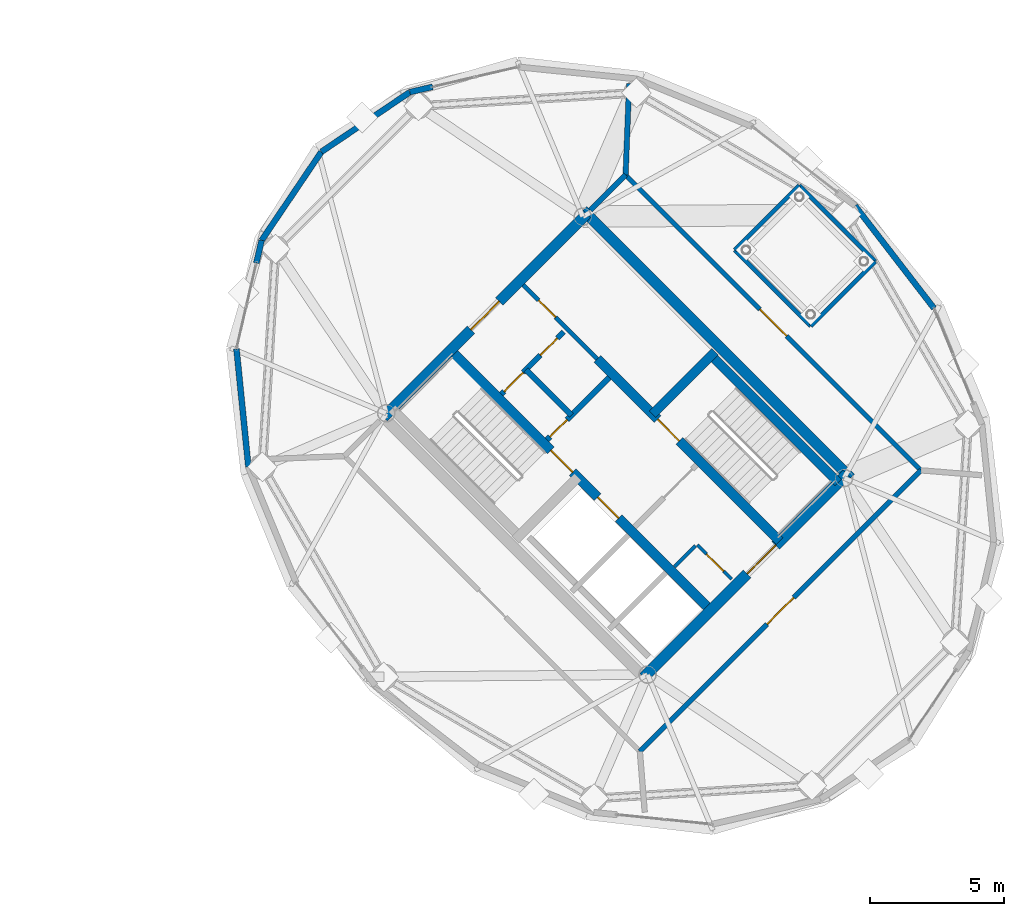
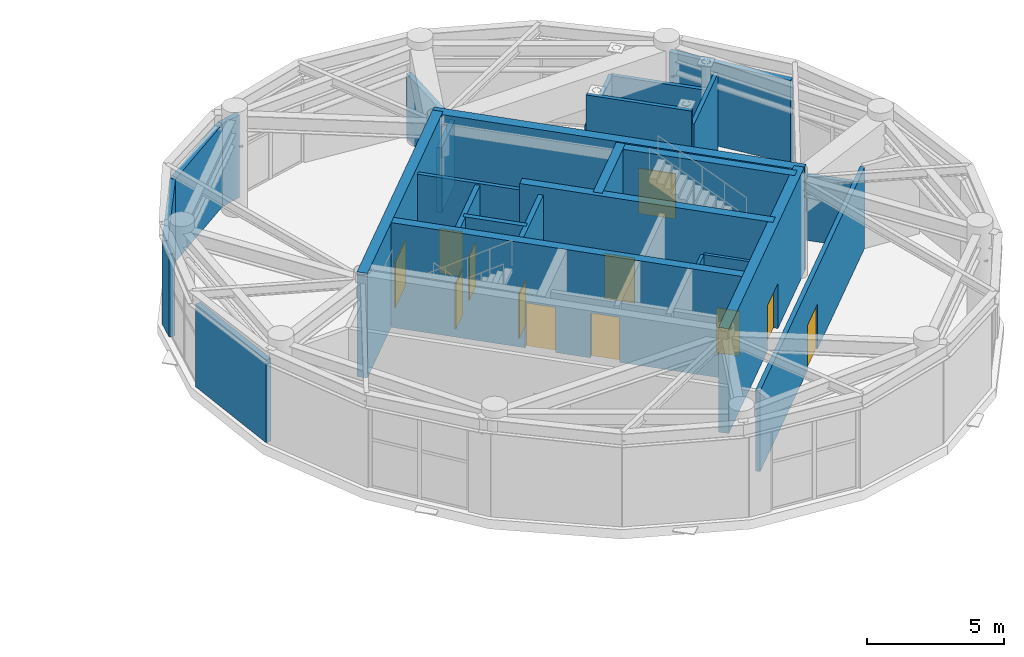
# One storey, part 25 of 28: 27 walls, 12 doors, 12 openings.
"""IFC4 building model written with IfcOpenShell, lengths in metres."""

from ifc_helpers import new_model, si_unit, direction, frame, frame_2d, origin, place, context, subcontext, project, spatial, rectangle, extrude, source, transform, mapped, material, layer, layer_set, type_object, element, fill, save


model = new_model("IFC4")

# Units and contexts
model_context = context("Model", 3, precision=1e-05, world=origin(), true_north=direction((0.0, 1.0)))
body_context = subcontext(model_context, "Body", "Model", "MODEL_VIEW")
ifc_project = project(units=[si_unit("LENGTHUNIT", "METRE"), si_unit("AREAUNIT", "SQUARE_METRE"), si_unit("VOLUMEUNIT", "CUBIC_METRE"), si_unit("PLANEANGLEUNIT", "RADIAN"), si_unit("MASSUNIT", "GRAM", prefix="KILO")], contexts=[model_context])

# Site, building, storey
site_placement = place(None, origin())
site = spatial("IfcSite", under=ifc_project, at=site_placement, CompositionType="ELEMENT")
building_placement = place(site_placement, origin())
building = spatial("IfcBuilding", under=site, at=building_placement, Name="Cununo Teusaquillo Station Towers", CompositionType="ELEMENT")
storey_placement = place(building_placement, frame((0.0, 0.0, 235.64990234375)))
storey = spatial("IfcBuildingStorey", under=building, at=storey_placement, Name="L75", CompositionType="ELEMENT", Elevation=235.64990234375)

# Wall, openings, doors
ifc_material_1 = material(Name="Concrete C50/60", Category="concrete")
ifc_layer_1 = layer(ifc_material_1, 0.35009765625)
ifc_layer_set_1 = layer_set([ifc_layer_1], Name="Concrete C50/60")
wall_type_1 = type_object("IfcWallType", Name="WL-CORE-350", PredefinedType="SHEAR", material=ifc_layer_set_1)
wall_1_placement = place(storey_placement, frame((61.060302734375, 18.372802734375, 0.0), z_axis=(0.0, 0.0, 1.0), x_axis=(-0.707106781187, 0.707106781187, 0.0)))
wall_1 = element("IfcWall", 1, at=wall_1_placement, inside=storey, type_object=wall_type_1, Name="L75 Tower B Core Shear Wall IW", PredefinedType="SHEAR", context=body_context, shape_type="SweptSolid", body=[
    extrude(rectangle(XDim=13.7001953125, YDim=0.35009765625, at=frame_2d((6.85009765625, 0.0))), origin(), (0.0, 0.0, 1.0), 4.68017578125),
])
shared_shape_1 = source(origin(), body_context, "Body", "SweptSolid", [
    extrude(rectangle(XDim=1.10009765625, YDim=2.014892578125, at=frame_2d((0.550048828125, 1.00732421875))), frame((0.0, 0.18505859375, 0.0), z_axis=(0.0, -1.0, 0.0), x_axis=(1.0, 0.0, 0.0)), (0.0, 0.0, 1.0), 0.3701171875),
])
opening_1_placement = place(wall_1_placement, frame((4.85009765625, 0.0, 0.0)))
opening_1 = element("IfcOpeningElement", 2, at=opening_1_placement, cuts=wall_1, Name="Opening LD-01", PredefinedType="OPENING", context=body_context, shape_type="MappedRepresentation", body=[
    mapped(shared_shape_1, transform((0.0, 0.0, 0.0), x_axis=(1.0, 0.0, 0.0), y_axis=(0.0, 1.0, 0.0), z_axis=(0.0, 0.0, 1.0), scale=1.0)),
])
shared_shape_2 = source(origin(), body_context, "Body", "SweptSolid", [
    extrude(rectangle(XDim=1.14990234375, YDim=2.02001953125, at=frame_2d((0.574951171875, 1.010009765625))), frame((0.0, 0.18505859375, 0.0), z_axis=(0.0, -1.0, 0.0), x_axis=(1.0, 0.0, 0.0)), (0.0, 0.0, 1.0), 0.3701171875),
])
opening_2_placement = place(wall_1_placement, frame((7.27001953125, 0.0, 0.0)))
opening_2 = element("IfcOpeningElement", 3, at=opening_2_placement, cuts=wall_1, Name="Opening D-ST1", PredefinedType="OPENING", context=body_context, shape_type="MappedRepresentation", body=[
    mapped(shared_shape_2, transform((0.0, 0.0, 0.0), x_axis=(1.0, 0.0, 0.0), y_axis=(0.0, 1.0, 0.0), z_axis=(0.0, 0.0, 1.0), scale=1.0)),
])
ifc_material_2 = material(Name="Galvanised fire-rated hollow steel door assembly", Category="steel")
door_type_1 = type_object("IfcDoorType", Name="DR-LIFT-1100", OperationType="SLIDING_TO_LEFT", PredefinedType="DOOR", material=ifc_material_2)
shared_shape_3 = source(origin(), body_context, "Body", "SweptSolid", [
    extrude(rectangle(XDim=1.10009765625, YDim=2.014892578125, at=frame_2d((0.550048828125, 1.00732421875))), frame((0.0, 0.02490234375, 0.0), z_axis=(0.0, -1.0, 0.0), x_axis=(1.0, 0.0, 0.0)), (0.0, 0.0, 1.0), 0.050048828125),
])
door_1_placement = place(opening_1_placement, origin())
door_1 = element("IfcDoor", 4, at=door_1_placement, inside=storey, type_object=door_type_1, Name="L75 Lift FL-T2 Sliding Landing Door", OperationType="SLIDING_TO_LEFT", OverallHeight=2.014892578125, OverallWidth=1.10009765625, PredefinedType="DOOR", context=body_context, shape_type="MappedRepresentation", body=[
    mapped(shared_shape_3, transform((0.0, 0.0, 0.0), x_axis=(1.0, 0.0, 0.0), y_axis=(0.0, 1.0, 0.0), z_axis=(0.0, 0.0, 1.0), scale=1.0)),
])
fill(opening_1, door_1)
ifc_material_3 = material(Name="Galvanised fire-rated hollow steel door assembly", Category="steel")
door_type_2 = type_object("IfcDoorType", Name="DR-STAIR-1150", OperationType="NOTDEFINED", PredefinedType="DOOR", material=ifc_material_3)
shared_shape_4 = source(origin(), body_context, "Body", "SweptSolid", [
    extrude(rectangle(XDim=1.14990234375, YDim=2.02001953125, at=frame_2d((0.574951171875, 1.010009765625))), frame((0.0, 0.02490234375, 0.0), z_axis=(0.0, -1.0, 0.0), x_axis=(1.0, 0.0, 0.0)), (0.0, 0.0, 1.0), 0.050048828125),
])
door_2_placement = place(opening_2_placement, origin())
door_2 = element("IfcDoor", 5, at=door_2_placement, inside=storey, type_object=door_type_2, Name="L75 Tower B Exit Stair 1 Fire Door", OperationType="SINGLE_SWING_RIGHT", OverallHeight=2.02001953125, OverallWidth=1.14990234375, PredefinedType="DOOR", context=body_context, shape_type="MappedRepresentation", body=[
    mapped(shared_shape_4, transform((0.0, 0.0, 0.0), x_axis=(1.0, 0.0, 0.0), y_axis=(0.0, 1.0, 0.0), z_axis=(0.0, 0.0, 1.0), scale=1.0)),
])
fill(opening_2, door_2)

# Wall, opening, door
wall_2_placement = place(storey_placement, frame((63.627197265625, 20.939697265625, 0.0), z_axis=(0.0, 0.0, 1.0), x_axis=(-0.707119496762, 0.707094065383, 0.0)))
wall_2 = element("IfcWall", 6, at=wall_2_placement, inside=storey, type_object=wall_type_1, Name="L75 Tower B Core Shear Wall IE", PredefinedType="SHEAR", context=body_context, shape_type="SweptSolid", body=[
    extrude(rectangle(XDim=9.60009765625, YDim=0.35009765625, at=frame_2d((4.800048828125, 0.0))), origin(), (0.0, 0.0, 1.0), 4.68017578125),
])
opening_3_placement = place(wall_2_placement, frame((5.280029296875, 0.0, 0.0)))
opening_3 = element("IfcOpeningElement", 7, at=opening_3_placement, cuts=wall_2, Name="Opening D-ST1", PredefinedType="OPENING", context=body_context, shape_type="MappedRepresentation", body=[
    mapped(shared_shape_2, transform((0.0, 0.0, 0.0), x_axis=(1.0, 0.0, 0.0), y_axis=(0.0, 1.0, 0.0), z_axis=(0.0, 0.0, 1.0), scale=1.0)),
])
door_3_placement = place(opening_3_placement, origin())
door_3 = element("IfcDoor", 8, at=door_3_placement, inside=storey, type_object=door_type_2, Name="L75 Tower B Exit Stair 2 Fire Door", OperationType="SINGLE_SWING_LEFT", OverallHeight=2.02001953125, OverallWidth=1.14990234375, PredefinedType="DOOR", context=body_context, shape_type="MappedRepresentation", body=[
    mapped(shared_shape_4, transform((0.0, 0.0, 0.0), x_axis=(1.0, 0.0, 0.0), y_axis=(0.0, 1.0, 0.0), z_axis=(0.0, 0.0, 1.0), scale=1.0)),
])
fill(opening_3, door_3)

# Walls
wall_3_placement = place(storey_placement, frame((65.81201171875, 23.124755859375, 0.0), z_axis=(0.0, 0.0, 1.0), x_axis=(-0.707106781187, 0.707106781187, 0.0)))
element("IfcWall", 9, at=wall_3_placement, inside=storey, type_object=wall_type_1, Name="L75 Tower B Core Shear Wall ST2E", PredefinedType="SHEAR", context=body_context, shape_type="SweptSolid", body=[
    extrude(rectangle(XDim=6.695068359375, YDim=0.35009765625, at=frame_2d((3.34765625, 0.0))), origin(), (0.0, 0.0, 1.0), 4.68017578125),
])
wall_4_placement = place(storey_placement, frame((58.89306640625, 25.673828125, 0.0), z_axis=(0.0, 0.0, 1.0), x_axis=(0.707106781187, 0.707106781187, 0.0)))
element("IfcWall", 10, at=wall_4_placement, inside=storey, type_object=wall_type_1, Name="L75 Tower B Core Shear Wall ST2N", PredefinedType="SHEAR", context=body_context, shape_type="SweptSolid", body=[
    extrude(rectangle(XDim=3.284912109375, YDim=0.35009765625, at=frame_2d((1.642578125, 0.0))), origin(), (0.0, 0.0, 1.0), 4.68017578125),
])
ifc_material_4 = material(Name="Concrete C50/60", Category="concrete")
ifc_layer_2 = layer(ifc_material_4, 0.39990234375)
ifc_layer_set_2 = layer_set([ifc_layer_2], Name="Concrete C50/60")
wall_type_2 = type_object("IfcWallType", Name="WL-CORE-400", PredefinedType="SHEAR", material=ifc_layer_set_2)
wall_5_placement = place(storey_placement, frame((66.26806640625, 23.2978515625, 0.0), z_axis=(0.0, 0.0, 1.0), x_axis=(-0.707106781187, 0.707106781187, 0.0)))
element("IfcWall", 11, at=wall_5_placement, inside=storey, type_object=wall_type_2, Name="L75 Tower B Core Shear Wall E", PredefinedType="SHEAR", context=body_context, shape_type="SweptSolid", body=[
    extrude(rectangle(XDim=14.10009765625, YDim=0.39990234375, at=frame_2d((7.050048828125, 0.0))), origin(), (0.0, 0.0, 1.0), 4.68017578125),
])

# Wall, opening, door
wall_6_placement = place(storey_placement, frame((58.560791015625, 15.873291015625, 0.0), z_axis=(0.0, 0.0, 1.0), x_axis=(0.707106781187, 0.707106781187, 0.0)))
wall_6 = element("IfcWall", 12, at=wall_6_placement, inside=storey, type_object=wall_type_2, Name="L75 Tower B Core Shear Wall S", PredefinedType="SHEAR", context=body_context, shape_type="SweptSolid", body=[
    extrude(rectangle(XDim=10.69970703125, YDim=0.39990234375, at=frame_2d((5.349853515625, 0.0))), origin(), (0.0, 0.0, 1.0), 4.68017578125),
])
shared_shape_5 = source(origin(), body_context, "Body", "SweptSolid", [
    extrude(rectangle(XDim=1.5, YDim=2.02001953125, at=frame_2d((0.75, 1.010009765625))), frame((0.0, 0.2099609375, 0.0), z_axis=(0.0, -1.0, 0.0), x_axis=(1.0, 0.0, 0.0)), (0.0, 0.0, 1.0), 0.419921875),
])
opening_4_placement = place(wall_6_placement, frame((5.449951171875, 0.0, 0.0)))
opening_4 = element("IfcOpeningElement", 13, at=opening_4_placement, cuts=wall_6, Name="Opening D-LB1", PredefinedType="OPENING", context=body_context, shape_type="MappedRepresentation", body=[
    mapped(shared_shape_5, transform((0.0, 0.0, 0.0), x_axis=(1.0, 0.0, 0.0), y_axis=(0.0, 1.0, 0.0), z_axis=(0.0, 0.0, 1.0), scale=1.0)),
])
ifc_material_5 = material(Name="Galvanised fire-rated hollow steel door assembly", Category="steel")
door_type_3 = type_object("IfcDoorType", Name="DR-LOBBY-1500", OperationType="DOUBLE_DOOR_SINGLE_SWING", PredefinedType="DOOR", material=ifc_material_5)
shared_shape_6 = source(origin(), body_context, "Body", "SweptSolid", [
    extrude(rectangle(XDim=1.5, YDim=2.02001953125, at=frame_2d((0.75, 1.010009765625))), frame((0.0, 0.02490234375, 0.0), z_axis=(0.0, -1.0, 0.0), x_axis=(1.0, 0.0, 0.0)), (0.0, 0.0, 1.0), 0.050048828125),
])
door_4_placement = place(opening_4_placement, origin())
door_4 = element("IfcDoor", 14, at=door_4_placement, inside=storey, type_object=door_type_3, Name="L75 Tower B South Core Lift Lobby Door", OperationType="DOUBLE_DOOR_SINGLE_SWING", OverallHeight=2.02001953125, OverallWidth=1.5, PredefinedType="DOOR", context=body_context, shape_type="MappedRepresentation", body=[
    mapped(shared_shape_6, transform((0.0, 0.0, 0.0), x_axis=(1.0, 0.0, 0.0), y_axis=(0.0, 1.0, 0.0), z_axis=(0.0, 0.0, 1.0), scale=1.0)),
])
fill(opening_4, door_4)

wall_7_placement = place(storey_placement, frame((48.873291015625, 25.560791015625, 0.0), z_axis=(0.0, 0.0, 1.0), x_axis=(0.707106781187, 0.707106781187, 0.0)))
wall_7 = element("IfcWall", 15, at=wall_7_placement, inside=storey, type_object=wall_type_2, Name="L75 Tower B Core Shear Wall N", PredefinedType="SHEAR", context=body_context, shape_type="SweptSolid", body=[
    extrude(rectangle(XDim=10.69970703125, YDim=0.39990234375, at=frame_2d((5.349853515625, 0.0))), origin(), (0.0, 0.0, 1.0), 4.68017578125),
])
opening_5_placement = place(wall_7_placement, frame((4.60009765625, 0.0, 0.0)))
opening_5 = element("IfcOpeningElement", 16, at=opening_5_placement, cuts=wall_7, Name="Opening D-LB1", PredefinedType="OPENING", context=body_context, shape_type="MappedRepresentation", body=[
    mapped(shared_shape_5, transform((0.0, 0.0, 0.0), x_axis=(1.0, 0.0, 0.0), y_axis=(0.0, 1.0, 0.0), z_axis=(0.0, 0.0, 1.0), scale=1.0)),
])
door_5_placement = place(opening_5_placement, origin())
door_5 = element("IfcDoor", 17, at=door_5_placement, inside=storey, type_object=door_type_3, Name="L75 Tower B North Core Lift Lobby Door", OperationType="DOUBLE_DOOR_SINGLE_SWING", OverallHeight=2.02001953125, OverallWidth=1.5, PredefinedType="DOOR", context=body_context, shape_type="MappedRepresentation", body=[
    mapped(shared_shape_6, transform((0.0, 0.0, 0.0), x_axis=(1.0, 0.0, 0.0), y_axis=(0.0, 1.0, 0.0), z_axis=(0.0, 0.0, 1.0), scale=1.0)),
])
fill(opening_5, door_5)

# Walls
ifc_material_6 = material(Name="Precast concrete C40/50", Category="concrete")
ifc_layer_3 = layer(ifc_material_6, 0.219970703125)
ifc_layer_set_3 = layer_set([ifc_layer_3], Name="Precast concrete C40/50")
wall_type_3 = type_object("IfcWallType", Name="WL-EXT-220", PredefinedType="SOLIDWALL", material=ifc_layer_set_3)
wall_8_placement = place(storey_placement, frame((49.856201171875, 37.663330078125, 0.0), z_axis=(0.0, 0.0, 1.0), x_axis=(0.974220668664, 0.22559718249, 0.0)))
element("IfcWall", 18, at=wall_8_placement, inside=storey, type_object=wall_type_3, Name="L75 Tower B Crown Drum Pier Cassette C03-PA", PredefinedType="SOLIDWALL", context=body_context, shape_type="SweptSolid", body=[
    extrude(rectangle(XDim=0.8701171875, YDim=0.219970703125, at=frame_2d((0.43505859375, 0.0))), origin(), (0.0, 0.0, 1.0), 3.696044921875),
])
for number, where, z_axis, x_axis, name in (
    (19, (46.56103515625, 35.43896484375, 0.0), (0.0, 0.0, 1.0), (0.828833723692, 0.559495003079, 0.0), "L75 Tower B Crown Drum Spandrel Cassette C04"),
    (20, (44.336669921875, 32.143798828125, 0.0), (0.0, 0.0, 1.0), (0.559495003079, 0.828833723692, 0.0), "L75 Tower B Crown Drum Spandrel Cassette C05"),
):
    element("IfcWall", number, at=place(storey_placement, frame(where, z_axis=z_axis, x_axis=x_axis)), inside=storey, type_object=wall_type_3, Name=name, PredefinedType="SOLIDWALL", context=body_context, shape_type="SweptSolid", body=[
        extrude(rectangle(XDim=3.9755859375, YDim=0.219970703125, at=frame_2d((1.98779296875, 0.0))), origin(), (0.0, 0.0, 1.0), 3.696044921875),
    ])
wall_9_placement = place(storey_placement, frame((44.140380859375, 31.296142578125, 0.0), z_axis=(0.0, 0.0, 1.0), x_axis=(0.22559718249, 0.974220668664, 0.0)))
element("IfcWall", 21, at=wall_9_placement, inside=storey, type_object=wall_type_3, Name="L75 Tower B Crown Drum Pier Cassette C06-PB", PredefinedType="SOLIDWALL", context=body_context, shape_type="SweptSolid", body=[
    extrude(rectangle(XDim=0.8701171875, YDim=0.219970703125, at=frame_2d((0.43505859375, 0.0))), origin(), (0.0, 0.0, 1.0), 3.696044921875),
])
wall_10_placement = place(storey_placement, frame((43.84521484375, 23.70458984375, 0.0), z_axis=(0.0, 0.0, 1.0), x_axis=(-0.100570534541, 0.994929930991, 0.0)))
element("IfcWall", 22, at=wall_10_placement, inside=storey, type_object=wall_type_3, Name="L75 Tower B Crown Drum Spandrel Cassette C07", PredefinedType="SOLIDWALL", context=body_context, shape_type="SweptSolid", body=[
    extrude(rectangle(XDim=4.418212890625, YDim=0.219970703125, at=frame_2d((2.208984375, 0.0))), origin(), (0.0, 0.0, 1.0), 3.696044921875),
])
wall_11_placement = place(storey_placement, frame((66.430908203125, 33.430908203125, 0.0), z_axis=(0.0, 0.0, 1.0), x_axis=(0.610523083886, -0.791998462147, 0.0)))
element("IfcWall", 23, at=wall_11_placement, inside=storey, type_object=wall_type_3, Name="L75 Tower B Crown Drum Spandrel Cassette C19", PredefinedType="SOLIDWALL", context=body_context, shape_type="SweptSolid", body=[
    extrude(rectangle(XDim=4.8203125, YDim=0.219970703125, at=frame_2d((2.41015625, 0.0))), origin(), (0.0, 0.0, 1.0), 3.696044921875),
])

# Wall, opening, door
ifc_material_7 = material(Name="Fire-rated gypsum plasterboard partition assembly", Category="gypsum")
ifc_layer_4 = layer(ifc_material_7, 0.125)
ifc_layer_set_4 = layer_set([ifc_layer_4], Name="Fire-rated gypsum plasterboard partition assembly")
wall_type_4 = type_object("IfcWallType", Name="WL-PART-125", PredefinedType="PARTITIONING", material=ifc_layer_set_4)
wall_12_placement = place(storey_placement, frame((61.834716796875, 19.529052734375, 0.0), z_axis=(0.0, 0.0, 1.0), x_axis=(-0.707174592913, 0.707038962956, 0.0)))
wall_12 = element("IfcWall", 24, at=wall_12_placement, inside=storey, type_object=wall_type_4, Name="L75 Tower B South-West Compact Store East Wall", PredefinedType="PARTITIONING", context=body_context, shape_type="SweptSolid", body=[
    extrude(rectangle(XDim=1.800048828125, YDim=0.125, at=frame_2d((0.89990234375, 0.0))), origin(), (0.0, 0.0, 1.0), 4.3251953125),
])
shared_shape_7 = source(origin(), body_context, "Body", "SweptSolid", [
    extrude(rectangle(XDim=0.89990234375, YDim=2.0048828125, at=frame_2d((0.449951171875, 1.00244140625))), frame((0.0, 0.072509765625, 0.0), z_axis=(0.0, -1.0, 0.0), x_axis=(1.0, 0.0, 0.0)), (0.0, 0.0, 1.0), 0.14501953125),
])
opening_6_placement = place(wall_12_placement, frame((0.419921875, 0.0, 0.0)))
opening_6 = element("IfcOpeningElement", 25, at=opening_6_placement, cuts=wall_12, Name="Opening D-SR1", PredefinedType="OPENING", context=body_context, shape_type="MappedRepresentation", body=[
    mapped(shared_shape_7, transform((0.0, 0.0, 0.0), x_axis=(1.0, 0.0, 0.0), y_axis=(0.0, 1.0, 0.0), z_axis=(0.0, 0.0, 1.0), scale=1.0)),
])
ifc_material_8 = material(Name="Galvanised fire-rated hollow steel door assembly", Category="steel")
door_type_4 = type_object("IfcDoorType", Name="DR-STORE-900", OperationType="NOTDEFINED", PredefinedType="DOOR", material=ifc_material_8)
shared_shape_8 = source(origin(), body_context, "Body", "SweptSolid", [
    extrude(rectangle(XDim=0.89990234375, YDim=2.0048828125, at=frame_2d((0.449951171875, 1.00244140625))), frame((0.0, 0.02490234375, 0.0), z_axis=(0.0, -1.0, 0.0), x_axis=(1.0, 0.0, 0.0)), (0.0, 0.0, 1.0), 0.050048828125),
])
door_6_placement = place(opening_6_placement, origin())
door_6 = element("IfcDoor", 26, at=door_6_placement, inside=storey, type_object=door_type_4, Name="L75 Tower B Core Electrical & Comms Store Door", OperationType="SINGLE_SWING_RIGHT", OverallHeight=2.0048828125, OverallWidth=0.89990234375, PredefinedType="DOOR", context=body_context, shape_type="MappedRepresentation", body=[
    mapped(shared_shape_8, transform((0.0, 0.0, 0.0), x_axis=(1.0, 0.0, 0.0), y_axis=(0.0, 1.0, 0.0), z_axis=(0.0, 0.0, 1.0), scale=1.0)),
])
fill(opening_6, door_6)

# Wall
wall_13_placement = place(storey_placement, frame((59.713134765625, 19.99560546875, 0.0), z_axis=(0.0, 0.0, 1.0), x_axis=(0.707217726, 0.706995818963, 0.0)))
element("IfcWall", 27, at=wall_13_placement, inside=storey, type_object=wall_type_4, Name="L75 Tower B South-West Compact Store North Wall", PredefinedType="PARTITIONING", context=body_context, shape_type="SweptSolid", body=[
    extrude(rectangle(XDim=1.10009765625, YDim=0.125, at=frame_2d((0.550048828125, 0.0))), origin(), (0.0, 0.0, 1.0), 4.3251953125),
])

# Wall, opening, door
ifc_material_9 = material(Name="Fire-rated gypsum plasterboard partition assembly", Category="gypsum")
ifc_layer_5 = layer(ifc_material_9, 0.159912109375)
ifc_layer_set_5 = layer_set([ifc_layer_5], Name="Fire-rated gypsum plasterboard partition assembly")
wall_type_5 = type_object("IfcWallType", Name="WL-PART-160", PredefinedType="PARTITIONING", material=ifc_layer_set_5)
wall_14_placement = place(storey_placement, frame((56.8388671875, 27.727783203125, 0.0), z_axis=(0.0, 0.0, 1.0), x_axis=(-0.707106781187, 0.707106781187, 0.0)))
wall_14 = element("IfcWall", 28, at=wall_14_placement, inside=storey, type_object=wall_type_5, Name="L75 Tower B Reclaimed Core Bay Entry Wall", PredefinedType="PARTITIONING", context=body_context, shape_type="SweptSolid", body=[
    extrude(rectangle(XDim=3.900146484375, YDim=0.159912109375, at=frame_2d((1.9501953125, 0.0))), origin(), (0.0, 0.0, 1.0), 4.3251953125),
])
shared_shape_9 = source(origin(), body_context, "Body", "SweptSolid", [
    extrude(rectangle(XDim=0.89990234375, YDim=2.0048828125, at=frame_2d((0.449951171875, 1.00244140625))), frame((0.0, 0.08984375, 0.0), z_axis=(0.0, -1.0, 0.0), x_axis=(1.0, 0.0, 0.0)), (0.0, 0.0, 1.0), 0.179931640625),
])
opening_7_placement = place(wall_14_placement, frame((2.199951171875, 0.0, 0.0)))
opening_7 = element("IfcOpeningElement", 29, at=opening_7_placement, cuts=wall_14, Name="Opening D-IN1", PredefinedType="OPENING", context=body_context, shape_type="MappedRepresentation", body=[
    mapped(shared_shape_9, transform((0.0, 0.0, 0.0), x_axis=(1.0, 0.0, 0.0), y_axis=(0.0, 1.0, 0.0), z_axis=(0.0, 0.0, 1.0), scale=1.0)),
])
ifc_material_10 = material(Name="Acoustic solid-core hardwood leaf assembly", Category="wood")
door_type_5 = type_object("IfcDoorType", Name="DR-INT-900", OperationType="NOTDEFINED", PredefinedType="DOOR", material=ifc_material_10)
door_7_placement = place(opening_7_placement, origin())
door_7 = element("IfcDoor", 30, at=door_7_placement, inside=storey, type_object=door_type_5, Name="L75 Tower B Reclaimed Core Lounge Door", OperationType="SINGLE_SWING_RIGHT", OverallHeight=2.0048828125, OverallWidth=0.89990234375, PredefinedType="DOOR", context=body_context, shape_type="MappedRepresentation", body=[
    mapped(shared_shape_8, transform((0.0, 0.0, 0.0), x_axis=(1.0, 0.0, 0.0), y_axis=(0.0, 1.0, 0.0), z_axis=(0.0, 0.0, 1.0), scale=1.0)),
])
fill(opening_7, door_7)

# Walls
wall_15_placement = place(storey_placement, frame((64.783203125, 28.954833984375, 0.0), z_axis=(0.0, 0.0, 1.0), x_axis=(-0.707106781187, 0.707106781187, 0.0)))
element("IfcWall", 31, at=wall_15_placement, inside=storey, type_object=wall_type_5, Name="L75 Tower B Damper Frame Guard Wall W", PredefinedType="PARTITIONING", context=body_context, shape_type="SweptSolid", body=[
    extrude(rectangle(XDim=4.0, YDim=0.159912109375, at=frame_2d((2.0, 0.0))), origin(), (0.0, 0.0, 1.0), 4.3251953125),
])
wall_16_placement = place(storey_placement, frame((61.954833984375, 31.783203125, 0.0), z_axis=(0.0, 0.0, 1.0), x_axis=(0.707070877417, 0.707142683133, 0.0)))
element("IfcWall", 32, at=wall_16_placement, inside=storey, type_object=wall_type_5, Name="L75 Tower B Damper Frame Guard Wall N", PredefinedType="PARTITIONING", context=body_context, shape_type="SweptSolid", body=[
    extrude(rectangle(XDim=3.39990234375, YDim=0.159912109375, at=frame_2d((1.699951171875, 0.0))), origin(), (0.0, 0.0, 1.0), 2.89208984375),
])
wall_17_placement = place(storey_placement, frame((64.783203125, 28.954833984375, 0.0), z_axis=(0.0, 0.0, 1.0), x_axis=(0.707142683133, 0.707070877417, 0.0)))
element("IfcWall", 33, at=wall_17_placement, inside=storey, type_object=wall_type_5, Name="L75 Tower B Damper Frame Guard Wall S", PredefinedType="PARTITIONING", context=body_context, shape_type="SweptSolid", body=[
    extrude(rectangle(XDim=3.39990234375, YDim=0.159912109375, at=frame_2d((1.699951171875, 0.0))), origin(), (0.0, 0.0, 1.0), 3.696044921875),
])
wall_18_placement = place(storey_placement, frame((67.1875, 31.35888671875, 0.0), z_axis=(0.0, 0.0, 1.0), x_axis=(-0.707106781187, 0.707106781187, 0.0)))
element("IfcWall", 34, at=wall_18_placement, inside=storey, type_object=wall_type_5, Name="L75 Tower B Damper Frame Guard Wall E", PredefinedType="PARTITIONING", context=body_context, shape_type="SweptSolid", body=[
    extrude(rectangle(XDim=4.000244140625, YDim=0.159912109375, at=frame_2d((2.0, 0.0))), origin(), (0.0, 0.0, 1.0), 2.89208984375),
])

# Wall, opening, door
ifc_material_11 = material(Name="Fire-rated gypsum plasterboard partition assembly", Category="gypsum")
ifc_layer_6 = layer(ifc_material_11, 0.179931640625)
ifc_layer_set_6 = layer_set([ifc_layer_6], Name="Fire-rated gypsum plasterboard partition assembly")
wall_type_6 = type_object("IfcWallType", Name="WL-PART-180", PredefinedType="PARTITIONING", material=ifc_layer_set_6)
wall_19_placement = place(storey_placement, frame((58.419189453125, 13.115478515625, 0.0), z_axis=(0.0, 0.0, 1.0), x_axis=(0.707106781187, 0.707106781187, 0.0)))
wall_19 = element("IfcWall", 35, at=wall_19_placement, inside=storey, type_object=wall_type_6, Name="L75 Tower B Crown Corridor Wall S", PredefinedType="PARTITIONING", context=body_context, shape_type="SweptSolid", body=[
    extrude(rectangle(XDim=14.80029296875, YDim=0.179931640625, at=frame_2d((7.400146484375, 0.0))), origin(), (0.0, 0.0, 1.0), 3.6162109375),
])
shared_shape_10 = source(origin(), body_context, "Body", "SweptSolid", [
    extrude(rectangle(XDim=1.39990234375, YDim=2.02001953125, at=frame_2d((0.699951171875, 1.010009765625))), frame((0.0, 0.099853515625, 0.0), z_axis=(0.0, -1.0, 0.0), x_axis=(1.0, 0.0, 0.0)), (0.0, 0.0, 1.0), 0.199951171875),
])
opening_8_placement = place(wall_19_placement, frame((6.699951171875, 0.0, 0.0)))
opening_8 = element("IfcOpeningElement", 36, at=opening_8_placement, cuts=wall_19, Name="Opening D-PL1", PredefinedType="OPENING", context=body_context, shape_type="MappedRepresentation", body=[
    mapped(shared_shape_10, transform((0.0, 0.0, 0.0), x_axis=(1.0, 0.0, 0.0), y_axis=(0.0, 1.0, 0.0), z_axis=(0.0, 0.0, 1.0), scale=1.0)),
])
ifc_material_12 = material(Name="Galvanised fire-rated hollow steel door assembly", Category="steel")
door_type_6 = type_object("IfcDoorType", Name="DR-PLANT-1400", OperationType="NOTDEFINED", PredefinedType="DOOR", material=ifc_material_12)
shared_shape_11 = source(origin(), body_context, "Body", "SweptSolid", [
    extrude(rectangle(XDim=1.39990234375, YDim=2.02001953125, at=frame_2d((0.699951171875, 1.010009765625))), frame((0.0, 0.02490234375, 0.0), z_axis=(0.0, -1.0, 0.0), x_axis=(1.0, 0.0, 0.0)), (0.0, 0.0, 1.0), 0.050048828125),
])
door_8_placement = place(opening_8_placement, origin())
door_8 = element("IfcDoor", 37, at=door_8_placement, inside=storey, type_object=door_type_6, Name="L75 Tower B Crown Room S Double Door", OperationType="SINGLE_SWING_LEFT", OverallHeight=2.02001953125, OverallWidth=1.39990234375, PredefinedType="DOOR", context=body_context, shape_type="MappedRepresentation", body=[
    mapped(shared_shape_11, transform((0.0, 0.0, 0.0), x_axis=(1.0, 0.0, 0.0), y_axis=(0.0, 1.0, 0.0), z_axis=(0.0, 0.0, 1.0), scale=1.0)),
])
fill(opening_8, door_8)

wall_20_placement = place(storey_placement, frame((68.884521484375, 23.580810546875, 0.0), z_axis=(0.0, 0.0, 1.0), x_axis=(-0.707106781187, 0.707106781187, 0.0)))
wall_20 = element("IfcWall", 38, at=wall_20_placement, inside=storey, type_object=wall_type_6, Name="L75 Tower B Crown Corridor Wall E", PredefinedType="PARTITIONING", context=body_context, shape_type="SweptSolid", body=[
    extrude(rectangle(XDim=15.550048828125, YDim=0.179931640625, at=frame_2d((7.77490234375, 0.0))), origin(), (0.0, 0.0, 1.0), 2.89208984375),
])
opening_9_placement = place(wall_20_placement, frame((7.074951171875, 0.0, 0.0)))
opening_9 = element("IfcOpeningElement", 39, at=opening_9_placement, cuts=wall_20, Name="Opening D-PL1", PredefinedType="OPENING", context=body_context, shape_type="MappedRepresentation", body=[
    mapped(shared_shape_10, transform((0.0, 0.0, 0.0), x_axis=(1.0, 0.0, 0.0), y_axis=(0.0, 1.0, 0.0), z_axis=(0.0, 0.0, 1.0), scale=1.0)),
])
door_9_placement = place(opening_9_placement, origin())
door_9 = element("IfcDoor", 40, at=door_9_placement, inside=storey, type_object=door_type_6, Name="L75 Tower B Crown Room E Double Door", OperationType="SINGLE_SWING_LEFT", OverallHeight=2.02001953125, OverallWidth=1.39990234375, PredefinedType="DOOR", context=body_context, shape_type="MappedRepresentation", body=[
    mapped(shared_shape_11, transform((0.0, 0.0, 0.0), x_axis=(1.0, 0.0, 0.0), y_axis=(0.0, 1.0, 0.0), z_axis=(0.0, 0.0, 1.0), scale=1.0)),
])
fill(opening_9, door_9)

ifc_material_13 = material(Name="Fire-rated gypsum plasterboard partition assembly", Category="gypsum")
ifc_layer_7 = layer(ifc_material_13, 0.199951171875)
ifc_layer_set_7 = layer_set([ifc_layer_7], Name="Fire-rated gypsum plasterboard partition assembly")
wall_type_7 = type_object("IfcWallType", Name="WL-PART-200", PredefinedType="PARTITIONING", material=ifc_layer_set_7)
wall_21_placement = place(storey_placement, frame((54.96142578125, 24.71923828125, 0.0), z_axis=(0.0, 0.0, 1.0), x_axis=(0.707106781187, 0.707106781187, 0.0)))
wall_21 = element("IfcWall", 41, at=wall_21_placement, inside=storey, type_object=wall_type_7, Name="L75 Tower B Firefighting Lift Lobby North Fire Wall", PredefinedType="PARTITIONING", context=body_context, shape_type="SweptSolid", body=[
    extrude(rectangle(XDim=3.280029296875, YDim=0.199951171875, at=frame_2d((1.64013671875, 0.0))), origin(), (0.0, 0.0, 1.0), 4.3251953125),
])
shared_shape_12 = source(origin(), body_context, "Body", "SweptSolid", [
    extrude(rectangle(XDim=0.89990234375, YDim=2.0048828125, at=frame_2d((0.449951171875, 1.00244140625))), frame((0.0, 0.10986328125, 0.0), z_axis=(0.0, -1.0, 0.0), x_axis=(1.0, 0.0, 0.0)), (0.0, 0.0, 1.0), 0.219970703125),
])
opening_10_placement = place(wall_21_placement, frame((0.159912109375, 0.0, 0.0)))
opening_10 = element("IfcOpeningElement", 42, at=opening_10_placement, cuts=wall_21, Name="Opening D-SR1", PredefinedType="OPENING", context=body_context, shape_type="MappedRepresentation", body=[
    mapped(shared_shape_12, transform((0.0, 0.0, 0.0), x_axis=(1.0, 0.0, 0.0), y_axis=(0.0, 1.0, 0.0), z_axis=(0.0, 0.0, 1.0), scale=1.0)),
])
door_10_placement = place(opening_10_placement, origin())
door_10 = element("IfcDoor", 43, at=door_10_placement, inside=storey, type_object=door_type_4, Name="L75 Tower B Stair 1 Protected Vestibule South Door", OperationType="SINGLE_SWING_RIGHT", OverallHeight=2.0048828125, OverallWidth=0.89990234375, PredefinedType="DOOR", context=body_context, shape_type="MappedRepresentation", body=[
    mapped(shared_shape_8, transform((0.0, 0.0, 0.0), x_axis=(1.0, 0.0, 0.0), y_axis=(0.0, 1.0, 0.0), z_axis=(0.0, 0.0, 1.0), scale=1.0)),
])
fill(opening_10, door_10)

# Wall
wall_22_placement = place(storey_placement, frame((55.873779296875, 25.63134765625, 0.0), z_axis=(0.0, 0.0, 1.0), x_axis=(-0.707157639372, 0.707055919343, 0.0)))
element("IfcWall", 44, at=wall_22_placement, inside=storey, type_object=wall_type_7, Name="L75 Tower B Stair 1 Vestibule Partition Wall", PredefinedType="PARTITIONING", context=body_context, shape_type="SweptSolid", body=[
    extrude(rectangle(XDim=2.400146484375, YDim=0.199951171875, at=frame_2d((1.2001953125, 0.0))), origin(), (0.0, 0.0, 1.0), 4.3251953125),
])

# Wall, openings, doors
wall_23_placement = place(storey_placement, frame((53.264404296875, 26.416259765625, 0.0), z_axis=(0.0, 0.0, 1.0), x_axis=(0.707106781187, 0.707106781187, 0.0)))
wall_23 = element("IfcWall", 45, at=wall_23_placement, inside=storey, type_object=wall_type_7, Name="L75 Tower B North Lift Lobby South Fire Wall", PredefinedType="PARTITIONING", context=body_context, shape_type="SweptSolid", body=[
    extrude(rectangle(XDim=3.280029296875, YDim=0.199951171875, at=frame_2d((1.64013671875, 0.0))), origin(), (0.0, 0.0, 1.0), 4.3251953125),
])
shared_shape_13 = source(origin(), body_context, "Body", "SweptSolid", [
    extrude(rectangle(XDim=1.0, YDim=2.014892578125, at=frame_2d((0.5, 1.00732421875))), frame((0.0, 0.10986328125, 0.0), z_axis=(0.0, -1.0, 0.0), x_axis=(1.0, 0.0, 0.0)), (0.0, 0.0, 1.0), 0.219970703125),
])
opening_11_placement = place(wall_23_placement, frame((0.139892578125, 0.0, 0.0)))
opening_11 = element("IfcOpeningElement", 46, at=opening_11_placement, cuts=wall_23, Name="Opening D-AC1", PredefinedType="OPENING", context=body_context, shape_type="MappedRepresentation", body=[
    mapped(shared_shape_13, transform((0.0, 0.0, 0.0), x_axis=(1.0, 0.0, 0.0), y_axis=(0.0, 1.0, 0.0), z_axis=(0.0, 0.0, 1.0), scale=1.0)),
])
opening_12_placement = place(wall_23_placement, frame((2.050048828125, 0.0, 0.0)))
opening_12 = element("IfcOpeningElement", 47, at=opening_12_placement, cuts=wall_23, Name="Opening D-SR1", PredefinedType="OPENING", context=body_context, shape_type="MappedRepresentation", body=[
    mapped(shared_shape_12, transform((0.0, 0.0, 0.0), x_axis=(1.0, 0.0, 0.0), y_axis=(0.0, 1.0, 0.0), z_axis=(0.0, 0.0, 1.0), scale=1.0)),
])
door_11_placement = place(opening_12_placement, origin())
door_11 = element("IfcDoor", 48, at=door_11_placement, inside=storey, type_object=door_type_4, Name="L75 Tower B Core Housekeeping & Linen Store Door", OperationType="SINGLE_SWING_LEFT", OverallHeight=2.0048828125, OverallWidth=0.89990234375, PredefinedType="DOOR", context=body_context, shape_type="MappedRepresentation", body=[
    mapped(shared_shape_8, transform((0.0, 0.0, 0.0), x_axis=(1.0, 0.0, 0.0), y_axis=(0.0, 1.0, 0.0), z_axis=(0.0, 0.0, 1.0), scale=1.0)),
])
fill(opening_12, door_11)
ifc_material_14 = material(Name="Acoustic solid-core hardwood leaf assembly", Category="wood")
door_type_7 = type_object("IfcDoorType", Name="DR-ACC-1000", OperationType="NOTDEFINED", PredefinedType="DOOR", material=ifc_material_14)
shared_shape_14 = source(origin(), body_context, "Body", "SweptSolid", [
    extrude(rectangle(XDim=1.0, YDim=2.014892578125, at=frame_2d((0.5, 1.00732421875))), frame((0.0, 0.02490234375, 0.0), z_axis=(0.0, -1.0, 0.0), x_axis=(1.0, 0.0, 0.0)), (0.0, 0.0, 1.0), 0.050048828125),
])
door_12_placement = place(opening_11_placement, origin())
door_12 = element("IfcDoor", 49, at=door_12_placement, inside=storey, type_object=door_type_7, Name="L75 Tower B North Lift Lobby to Stair 1 Vestibule Door", OperationType="SINGLE_SWING_LEFT", OverallHeight=2.014892578125, OverallWidth=1.0, PredefinedType="DOOR", context=body_context, shape_type="MappedRepresentation", body=[
    mapped(shared_shape_14, transform((0.0, 0.0, 0.0), x_axis=(1.0, 0.0, 0.0), y_axis=(0.0, 1.0, 0.0), z_axis=(0.0, 0.0, 1.0), scale=1.0)),
])
fill(opening_11, door_12)

# Walls
wall_24_placement = place(storey_placement, frame((56.580810546875, 33.26806640625, 0.0), z_axis=(0.0, 0.0, 1.0), x_axis=(0.707040798191, 0.707172758026, 0.0)))
element("IfcWall", 50, at=wall_24_placement, inside=storey, type_object=wall_type_7, Name="L75 Tower B Crown North Hall Wall NE", PredefinedType="PARTITIONING", context=body_context, shape_type="SweptSolid", body=[
    extrude(rectangle(XDim=1.85009765625, YDim=0.199951171875, at=frame_2d((0.925048828125, 0.0))), origin(), (0.0, 0.0, 1.0), 2.89208984375),
])
wall_25_placement = place(storey_placement, frame((57.888916015625, 34.576416015625, 0.0), z_axis=(0.0, 0.0, 1.0), x_axis=(0.038606420501, 0.999254494259, 0.0)))
element("IfcWall", 51, at=wall_25_placement, inside=storey, type_object=wall_type_7, Name="L75 Tower B Crown Radial Wall Q2", PredefinedType="PARTITIONING", context=body_context, shape_type="SweptSolid", body=[
    extrude(rectangle(XDim=3.408447265625, YDim=0.199951171875, at=frame_2d((1.7041015625, 0.0))), origin(), (0.0, 0.0, 1.0), 2.89208984375),
])

save(model, "model.ifc")
